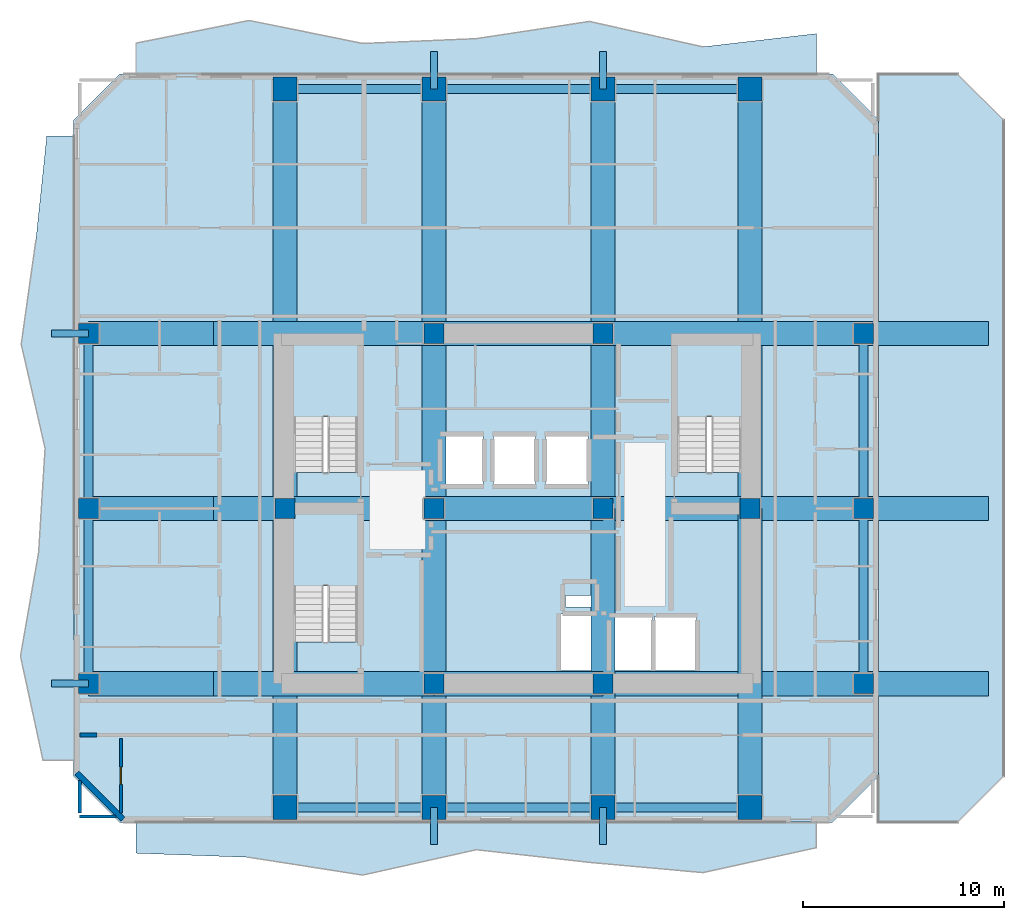
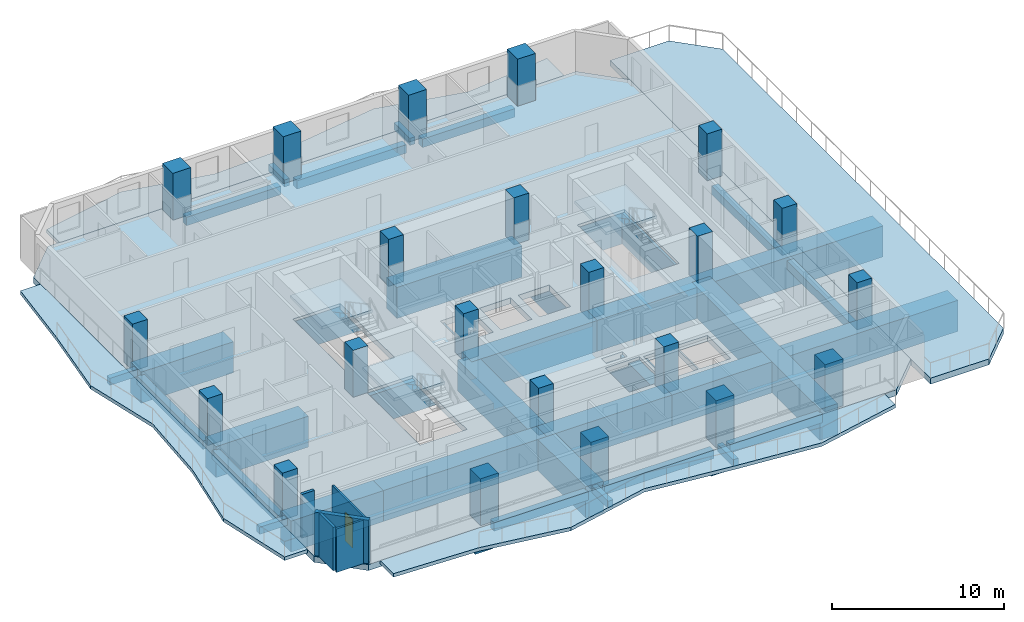
# One storey, part 1 of 11: 36 beams, 22 columns, 8 slabs, 5 walls, 1 door, 1 opening, 3 elements without a shape of their own.
"""IFC4 building model written with IfcOpenShell, lengths in metres."""

import ifcopenshell
import ifcopenshell.guid

model = None  # the IFC model being written
_history = None  # IfcOwnerHistory: only IFC2X3 demands one
_inside = {}  # id of a spatial element -> (the spatial element, [elements in it])
_under = {}  # id of a project, library or spatial element -> (it, [spatial elements below it])
_declared = {}  # id of a project -> (the project, [libraries it declares])
_typed = {}  # id of a type object -> (the type object, [elements of that type])
_made_of = {}  # id of a material, layer set ... -> (it, [elements and type objects made of it])


def new_model(schema):
    """Start an empty IFC model of exactly this schema.

    Asked for "IFC4X3", IfcOpenShell would pick the latest addendum, in which some entities
    have other attributes; the version numbers below select the first issue.
    IFC2X3 requires an IfcOwnerHistory on every rooted entity: one is made here for all.
    """
    global model, _history
    if schema == "IFC4X3":
        model = ifcopenshell.file(schema_version=(4, 3, 0, 0))
    else:
        model = ifcopenshell.file(schema=schema)
    _inside.clear()
    _under.clear()
    _declared.clear()
    _typed.clear()
    _made_of.clear()
    _history = None
    if model.schema == "IFC2X3":
        org = make("IfcOrganization", Name="unknown")
        user = make(
            "IfcPersonAndOrganization",
            ThePerson=make("IfcPerson", FamilyName="unknown"),
            TheOrganization=org,
        )
        app = make(
            "IfcApplication",
            ApplicationDeveloper=org,
            Version="unknown",
            ApplicationFullName="unknown",
            ApplicationIdentifier="unknown",
        )
        _history = make(
            "IfcOwnerHistory",
            OwningUser=user,
            OwningApplication=app,
            ChangeAction="ADDED",
            CreationDate=0,
        )
    return model


def make(cls, **values):
    """One entity of the class cls with the attributes given. An attribute that is None is left unset."""
    return model.create_entity(
        cls, **{name: value for name, value in values.items() if value is not None}
    )


def rooted(cls, **values):
    """An entity with a GlobalId (a new one), such as an element, a storey or a relation."""
    return make(cls, GlobalId=ifcopenshell.guid.new(), OwnerHistory=_history, **values)


def si_unit(unit_type, name, prefix=None):
    """IfcSIUnit, for example si_unit("LENGTHUNIT", "METRE", prefix="MILLI")."""
    return make("IfcSIUnit", UnitType=unit_type, Prefix=prefix, Name=name)


def assignment(units):
    """IfcUnitAssignment: the units of a project."""
    return None if units is None else make("IfcUnitAssignment", Units=units)


def point(xyz):
    """IfcCartesianPoint."""
    return None if xyz is None else make("IfcCartesianPoint", Coordinates=xyz)


def direction(xyz):
    """IfcDirection."""
    return None if xyz is None else make("IfcDirection", DirectionRatios=xyz)


def frame(location, z_axis=None, x_axis=None):
    """IfcAxis2Placement3D, a coordinate frame: its origin and axes. An axis left out is left unset."""
    return make(
        "IfcAxis2Placement3D",
        Location=point(location),
        Axis=direction(z_axis),
        RefDirection=direction(x_axis),
    )


def frame_2d(location, x_axis=None):
    """IfcAxis2Placement2D, a coordinate frame in the plane: its origin and x axis."""
    return make(
        "IfcAxis2Placement2D", Location=point(location), RefDirection=direction(x_axis)
    )


def origin():
    """The frame at (0, 0, 0) with its axes left unset."""
    return frame((0.0, 0.0, 0.0))


def origin_2d():
    """The frame at (0, 0) in the plane with its x axis left unset."""
    return frame_2d((0.0, 0.0))


def place(relative_to, where):
    """IfcLocalPlacement: puts the frame where relative to a parent placement (None: the world)."""
    return make(
        "IfcLocalPlacement", PlacementRelTo=relative_to, RelativePlacement=where
    )


def context(
    kind, dimensions, precision=None, world=None, true_north=None, identifier=None
):
    """IfcGeometricRepresentationContext, for example the 3D "Model" context."""
    return make(
        "IfcGeometricRepresentationContext",
        ContextIdentifier=identifier,
        ContextType=kind,
        CoordinateSpaceDimension=dimensions,
        Precision=precision,
        WorldCoordinateSystem=world,
        TrueNorth=true_north,
    )


def subcontext(parent, identifier, kind, view, scale=None):
    """IfcGeometricRepresentationSubContext, for example "Body" below "Model"."""
    return make(
        "IfcGeometricRepresentationSubContext",
        ContextIdentifier=identifier,
        ContextType=kind,
        ParentContext=parent,
        TargetScale=scale,
        TargetView=view,
    )


def project(units=None, contexts=None):
    """IfcProject with its units and contexts."""
    return rooted(
        "IfcProject",
        Name="project",
        RepresentationContexts=contexts,
        UnitsInContext=assignment(units),
    )


def spatial(cls, under=None, at=None, **own):
    """A site, building, storey or space (cls), placed at a placement, below another one or the project."""
    s = rooted(cls, ObjectPlacement=at, **own)
    if under is not None:
        _under.setdefault(under.id(), (under, []))[1].append(s)
    return s


def polyline(points):
    """IfcPolyline through the points."""
    return make("IfcPolyline", Points=[point(p) for p in points])


def profile(cls, at=None, kind="AREA", **sizes):
    """A parametric profile (cls). Its sizes go by their IFC names, for example OverallWidth=200.0."""
    return make(cls, ProfileType=kind, Position=at, **sizes)


def rectangle(**sizes):
    """IfcRectangleProfileDef."""
    return profile("IfcRectangleProfileDef", **sizes)


def outline(outer, holes=None, kind="AREA"):
    """IfcArbitraryClosedProfileDef: a profile drawn as a closed curve; with holes, ...WithVoids."""
    if holes is None:
        return make("IfcArbitraryClosedProfileDef", ProfileType=kind, OuterCurve=outer)
    return make(
        "IfcArbitraryProfileDefWithVoids",
        ProfileType=kind,
        OuterCurve=outer,
        InnerCurves=holes,
    )


def extrude(swept, where, along, depth):
    """IfcExtrudedAreaSolid: the profile swept, set in the frame where, extruded along a direction by depth."""
    return make(
        "IfcExtrudedAreaSolid",
        SweptArea=swept,
        Position=where,
        ExtrudedDirection=direction(along),
        Depth=depth,
    )


def shape(context_of_items, identifier, shape_type, items):
    """IfcShapeRepresentation: the items that make up one representation, for example the "Body"."""
    return make(
        "IfcShapeRepresentation",
        ContextOfItems=context_of_items,
        RepresentationIdentifier=identifier,
        RepresentationType=shape_type,
        Items=items,
    )


def material(Name=None, Category=None):
    """IfcMaterial."""
    return make("IfcMaterial", Name=Name, Category=Category)


def layer(
    of_material, thickness, ventilated=None, Name=None, Category=None, Priority=None
):
    """IfcMaterialLayer: one layer of a wall or slab, of a material (None: an air gap)."""
    return make(
        "IfcMaterialLayer",
        Material=of_material,
        LayerThickness=thickness,
        IsVentilated=ventilated,
        Name=Name,
        Category=Category,
        Priority=Priority,
    )


def layer_set(layers, Name=None):
    """IfcMaterialLayerSet."""
    return make("IfcMaterialLayerSet", MaterialLayers=layers, LayerSetName=Name)


def material_profile(
    of_material, cross_section, Name=None, Category=None, Priority=None
):
    """IfcMaterialProfile: a cross section and its material."""
    return make(
        "IfcMaterialProfile",
        Name=Name,
        Material=of_material,
        Profile=cross_section,
        Priority=Priority,
        Category=Category,
    )


def profile_set(profiles, Name=None, composite=None):
    """IfcMaterialProfileSet."""
    return make(
        "IfcMaterialProfileSet",
        Name=Name,
        MaterialProfiles=profiles,
        CompositeProfile=composite,
    )


def made_of(thing, what):
    """Note that an element or type object is made of a material, layer set ...; save() writes the relation."""
    if what is not None:
        _made_of.setdefault(what.id(), (what, []))[1].append(thing)
    return thing


def type_object(cls, material=None, **own):
    """A type object (cls), such as IfcWallType, which elements share."""
    return made_of(rooted(cls, **own), material)


def element(
    cls,
    number,
    at=None,
    inside=None,
    cuts=None,
    type_object=None,
    material=None,
    context=None,
    identifier="Body",
    shape_type=None,
    held_by="IfcProductDefinitionShape",
    body=None,
    shapes=None,
    **own,
):
    """One element of the class cls, such as IfcWall. Its Tag is "e" and its number.

    at: its placement. inside: the storey or other place that contains it. cuts: it is an
    opening in that element (IfcRelVoidsElement). A single representation is given by context,
    identifier, shape_type and body (its items); several are given by shapes. held_by: the class
    of the entity that holds the representations. save() writes the other relations.
    """
    e = rooted(cls, Tag="e%d" % number, ObjectPlacement=at, **own)
    if body is not None:
        shapes = [shape(context, identifier, shape_type, body)]
    if shapes is not None:
        e.Representation = make(held_by, Representations=shapes)
    if inside is not None:
        _inside.setdefault(inside.id(), (inside, []))[1].append(e)
    if cuts is not None:
        rooted(
            "IfcRelVoidsElement", RelatingBuildingElement=cuts, RelatedOpeningElement=e
        )
    if type_object is not None:
        _typed.setdefault(type_object.id(), (type_object, []))[1].append(e)
    return made_of(e, material)


def fill(opening, filler):
    """IfcRelFillsElement: the door or window that sits in an opening."""
    return rooted(
        "IfcRelFillsElement",
        RelatingOpeningElement=opening,
        RelatedBuildingElement=filler,
    )


def aggregate(whole, parts):
    """IfcRelAggregates: a whole, such as a stair, and the parts it consists of."""
    return rooted("IfcRelAggregates", RelatingObject=whole, RelatedObjects=parts)


def save(model, path):
    """Write the relations noted so far, then the file.

    IfcRelAggregates (storeys below a building ...), IfcRelContainedInSpatialStructure (elements
    in a storey), IfcRelDefinesByType, IfcRelAssociatesMaterial and IfcRelDeclares: one each for
    every whole, place, type object, material and project.
    """
    for whole, parts in _under.values():
        aggregate(whole, parts)
    for where, things in _inside.values():
        rooted(
            "IfcRelContainedInSpatialStructure",
            RelatedElements=things,
            RelatingStructure=where,
        )
    for kind, things in _typed.values():
        rooted("IfcRelDefinesByType", RelatedObjects=things, RelatingType=kind)
    for what, things in _made_of.values():
        rooted("IfcRelAssociatesMaterial", RelatedObjects=things, RelatingMaterial=what)
    for by, libraries in _declared.values():
        rooted("IfcRelDeclares", RelatingContext=by, RelatedDefinitions=libraries)
    model.write(path)


model = new_model("IFC4")

# Units and contexts
model_context = context("Model", 3, precision=1e-05, world=origin(), true_north=direction((0.0, 1.0)))
body_context = subcontext(model_context, "Body", "Model", "MODEL_VIEW")
ifc_project = project(units=[si_unit("LENGTHUNIT", "METRE"), si_unit("AREAUNIT", "SQUARE_METRE"), si_unit("VOLUMEUNIT", "CUBIC_METRE"), si_unit("PLANEANGLEUNIT", "RADIAN"), si_unit("MASSUNIT", "GRAM", prefix="KILO")], contexts=[model_context])

# Site, building, storey
site_placement = place(None, origin())
site = spatial("IfcSite", under=ifc_project, at=site_placement, CompositionType="ELEMENT")
building_placement = place(site_placement, origin())
building = spatial("IfcBuilding", under=site, at=building_placement, Name="Solanera Arch Residences", CompositionType="ELEMENT")
storey_placement = place(building_placement, frame((0.0, 0.0, 165.840087890625)))
storey = spatial("IfcBuildingStorey", under=building, at=storey_placement, Name="L48", CompositionType="ELEMENT", Elevation=165.840087890625)

# Columns
ifc_material_1 = material(Name="Concrete C55/67 (f'c = 60 MPa)", Category="concrete")
ifc_material_profile_1 = material_profile(ifc_material_1, rectangle(XDim=1.0, YDim=1.0, at=origin_2d()))
ifc_profile_set_1 = profile_set([ifc_material_profile_1], Name="Concrete C55/67 (f'c = 60 MPa)")
column_type_1 = type_object("IfcColumnType", Name="Structural Column RC-COL-1000X1000", PredefinedType="COLUMN", material=ifc_profile_set_1)
for number, where, z_axis, x_axis, name in (
    (1, (20.800048828125, 22.0, 0.0), (0.0, 0.0, 1.0), (1.0, 0.0, 0.0), "COL-L48-CB-SW"),
    (2, (29.199951171875, 22.0, 0.0), (0.0, 0.0, 1.0), (1.0, 0.0, 0.0), "COL-L48-CB-SE"),
    (3, (20.800048828125, 39.39990234375, 0.0), (0.0, 0.0, 1.0), (1.0, 0.0, 0.0), "COL-L48-CB-NW"),
    (4, (29.199951171875, 39.39990234375, 0.0), (0.0, 0.0, 1.0), (1.0, 0.0, 0.0), "COL-L48-CB-NE"),
    (5, (13.39990234375, 30.699951171875, 0.0), (0.0, 0.0, 1.0), (1.0, 0.0, 0.0), "COL-L48-CB-WW"),
    (6, (36.5, 30.699951171875, 0.0), (0.0, 0.0, 1.0), (1.0, 0.0, 0.0), "COL-L48-CB-EE"),
    (7, (20.800048828125, 30.699951171875, 0.0), (0.0, 0.0, 1.0), (1.0, 0.0, 0.0), "COL-L48-CORE-W"),
    (8, (29.199951171875, 30.699951171875, 0.0), (0.0, 0.0, 1.0), (1.0, 0.0, 0.0), "COL-L48-CORE-E"),
):
    element("IfcColumn", number, at=place(storey_placement, frame(where, z_axis=z_axis, x_axis=x_axis)), inside=storey, type_object=column_type_1, Name=name, PredefinedType="COLUMN", context=body_context, shape_type="SweptSolid", body=[
        extrude(rectangle(XDim=1.0, YDim=1.0, at=origin_2d()), origin(), (0.0, 0.0, 1.0), 3.31982421875),
    ])
for number, where, z_axis, x_axis, name in (
    (9, (3.64990234375, 22.0, -0.2001953125), (0.0, 0.0, 1.0), (1.0, 0.0, 0.0), "COL-L48-TWR-09"),
    (10, (42.14990234375, 22.0, -0.2001953125), (0.0, 0.0, 1.0), (1.0, 0.0, 0.0), "COL-L48-TWR-10"),
    (11, (3.64990234375, 30.699951171875, -0.2001953125), (0.0, 0.0, 1.0), (1.0, 0.0, 0.0), "COL-L48-TWR-11"),
    (12, (42.14990234375, 30.699951171875, -0.2001953125), (0.0, 0.0, 1.0), (1.0, 0.0, 0.0), "COL-L48-TWR-12"),
    (13, (3.64990234375, 39.39990234375, -0.2001953125), (0.0, 0.0, 1.0), (1.0, 0.0, 0.0), "COL-L48-TWR-13"),
    (14, (42.14990234375, 39.39990234375, -0.2001953125), (0.0, 0.0, 1.0), (1.0, 0.0, 0.0), "COL-L48-TWR-14"),
):
    element("IfcColumn", number, at=place(storey_placement, frame(where, z_axis=z_axis, x_axis=x_axis)), inside=storey, type_object=column_type_1, Name=name, PredefinedType="COLUMN", context=body_context, shape_type="SweptSolid", body=[
        extrude(rectangle(XDim=1.0, YDim=1.0, at=origin_2d()), origin(), (0.0, 0.0, 1.0), 3.52001953125),
    ])
ifc_material_2 = material(Name="Concrete C55/67 (f'c = 60 MPa)", Category="concrete")
ifc_material_profile_2 = material_profile(ifc_material_2, rectangle(XDim=1.199951171875, YDim=1.199951171875, at=origin_2d()))
ifc_profile_set_2 = profile_set([ifc_material_profile_2], Name="Concrete C55/67 (f'c = 60 MPa)")
column_type_2 = type_object("IfcColumnType", Name="Structural Column RC-COL-1200X1200", PredefinedType="COLUMN", material=ifc_profile_set_2)
for number, where, z_axis, x_axis, name in (
    (15, (13.39990234375, 15.85009765625, -0.2001953125), (0.0, 0.0, 1.0), (1.0, 0.0, 0.0), "COL-L48-TWR-01"),
    (16, (13.39990234375, 51.550048828125, -0.2001953125), (0.0, 0.0, 1.0), (1.0, 0.0, 0.0), "COL-L48-TWR-02"),
    (17, (20.800048828125, 15.85009765625, -0.2001953125), (0.0, 0.0, 1.0), (1.0, 0.0, 0.0), "COL-L48-TWR-03"),
    (18, (20.800048828125, 51.550048828125, -0.2001953125), (0.0, 0.0, 1.0), (1.0, 0.0, 0.0), "COL-L48-TWR-04"),
    (19, (29.199951171875, 15.85009765625, -0.2001953125), (0.0, 0.0, 1.0), (1.0, 0.0, 0.0), "COL-L48-TWR-05"),
    (20, (29.199951171875, 51.550048828125, -0.2001953125), (0.0, 0.0, 1.0), (1.0, 0.0, 0.0), "COL-L48-TWR-06"),
    (21, (36.5, 15.85009765625, -0.2001953125), (0.0, 0.0, 1.0), (1.0, 0.0, 0.0), "COL-L48-TWR-07"),
    (22, (36.5, 51.550048828125, -0.2001953125), (0.0, 0.0, 1.0), (1.0, 0.0, 0.0), "COL-L48-TWR-08"),
):
    element("IfcColumn", number, at=place(storey_placement, frame(where, z_axis=z_axis, x_axis=x_axis)), inside=storey, type_object=column_type_2, Name=name, PredefinedType="COLUMN", context=body_context, shape_type="SweptSolid", body=[
        extrude(rectangle(XDim=1.199951171875, YDim=1.199951171875, at=origin_2d()), origin(), (0.0, 0.0, 1.0), 3.52001953125),
    ])

# Beams
ifc_material_3 = material(Name="Concrete C40/50 (f'c = 45 MPa)", Category="concrete")
ifc_material_profile_3 = material_profile(ifc_material_3, rectangle(XDim=0.35009765625, YDim=0.5, at=origin_2d()))
ifc_profile_set_3 = profile_set([ifc_material_profile_3], Name="Concrete C40/50 (f'c = 45 MPa)")
beam_type_1 = type_object("IfcBeamType", Name="BM-BALC-RIB", PredefinedType="BEAM", material=ifc_profile_set_3)
for number, where, z_axis, x_axis, name in (
    (23, (20.800048828125, 14.0, -0.5), (0.0, 1.0, 0.0), (-1.0, 0.0, 0.0), "BM-L48-BRIB-S1"),
    (24, (29.199951171875, 14.0, -0.5), (0.0, 1.0, 0.0), (-1.0, 0.0, 0.0), "BM-L48-BRIB-S2"),
):
    element("IfcBeam", number, at=place(storey_placement, frame(where, z_axis=z_axis, x_axis=x_axis)), inside=storey, type_object=beam_type_1, Name=name, PredefinedType="BEAM", context=body_context, shape_type="SweptSolid", body=[
        extrude(rectangle(XDim=0.35009765625, YDim=0.5, at=origin_2d()), origin(), (0.0, 0.0, 1.0), 1.85009765625),
    ])
for number, where, z_axis, x_axis, name in (
    (25, (20.800048828125, 51.550048828125, -0.5), (0.0, 1.0, 0.0), (-1.0, 0.0, 0.0), "BM-L48-BRIB-N1"),
    (26, (29.199951171875, 51.550048828125, -0.5), (0.0, 1.0, 0.0), (-1.0, 0.0, 0.0), "BM-L48-BRIB-N2"),
    (27, (1.800048828125, 22.0, -0.5), (1.0, 0.0, 0.0), (0.0, 1.0, 0.0), "BM-L48-BRIB-W1"),
    (28, (1.800048828125, 39.39990234375, -0.5), (1.0, 0.0, 0.0), (0.0, 1.0, 0.0), "BM-L48-BRIB-W2"),
):
    element("IfcBeam", number, at=place(storey_placement, frame(where, z_axis=z_axis, x_axis=x_axis)), inside=storey, type_object=beam_type_1, Name=name, PredefinedType="BEAM", context=body_context, shape_type="SweptSolid", body=[
        extrude(rectangle(XDim=0.35009765625, YDim=0.5, at=origin_2d()), origin(), (0.0, 0.0, 1.0), 1.849853515625),
    ])
ifc_material_4 = material(Name="Concrete C55/67 (f'c = 60 MPa)", Category="concrete")
ifc_material_profile_4 = material_profile(ifc_material_4, rectangle(XDim=1.199951171875, YDim=2.199951171875, at=origin_2d()))
ifc_profile_set_4 = profile_set([ifc_material_profile_4], Name="Concrete C55/67 (f'c = 60 MPa)")
beam_type_2 = type_object("IfcBeamType", Name="BM-CANT-BLOCK", PredefinedType="BEAM", material=ifc_profile_set_4)
for number, where, z_axis, x_axis, name in (
    (29, (3.64990234375, 22.0, -1.300048828125), (1.0, 0.0, 0.0), (0.0, 1.0, 0.0), "BM-L48-CANT-EW-W-220"),
    (30, (3.64990234375, 30.699951171875, -1.300048828125), (1.0, 0.0, 0.0), (0.0, 1.0, 0.0), "BM-L48-CANT-EW-W-307"),
    (31, (3.64990234375, 39.39990234375, -1.300048828125), (1.0, 0.0, 0.0), (0.0, 1.0, 0.0), "BM-L48-CANT-EW-W-394"),
):
    element("IfcBeam", number, at=place(storey_placement, frame(where, z_axis=z_axis, x_axis=x_axis)), inside=storey, type_object=beam_type_2, Name=name, PredefinedType="BEAM", context=body_context, shape_type="SweptSolid", body=[
        extrude(rectangle(XDim=1.199951171875, YDim=2.199951171875, at=origin_2d()), origin(), (0.0, 0.0, 1.0), 6.2001953125),
    ])
ifc_material_5 = material(Name="Concrete C40/50 (f'c = 45 MPa)", Category="concrete")
ifc_material_profile_5 = material_profile(ifc_material_5, rectangle(XDim=0.449951171875, YDim=0.60009765625, at=origin_2d()))
ifc_profile_set_5 = profile_set([ifc_material_profile_5], Name="Concrete C40/50 (f'c = 45 MPa)")
beam_type_3 = type_object("IfcBeamType", Name="Spandrel Beam RC-BM-450X600", PredefinedType="SPANDREL", material=ifc_profile_set_5)
for number, where, z_axis, x_axis, name in (
    (32, (13.93994140625, 15.85009765625, -0.719970703125), (1.0, 0.0, 0.0), (0.0, 1.0, 0.0), "BM-L48-XRING-S-1"),
    (33, (13.93994140625, 51.550048828125, -0.719970703125), (1.0, 0.0, 0.0), (0.0, 1.0, 0.0), "BM-L48-XRING-N-1"),
):
    element("IfcBeam", number, at=place(storey_placement, frame(where, z_axis=z_axis, x_axis=x_axis)), inside=storey, type_object=beam_type_3, Name=name, PredefinedType="SPANDREL", context=body_context, shape_type="SweptSolid", body=[
        extrude(rectangle(XDim=0.449951171875, YDim=0.60009765625, at=origin_2d()), origin(), (0.0, 0.0, 1.0), 6.320068359375),
    ])
for number, where, z_axis, x_axis, name in (
    (34, (21.340087890625, 15.85009765625, -0.719970703125), (1.0, 0.0, 0.0), (0.0, 1.0, 0.0), "BM-L48-XRING-S-2"),
    (35, (21.340087890625, 51.550048828125, -0.719970703125), (1.0, 0.0, 0.0), (0.0, 1.0, 0.0), "BM-L48-XRING-N-2"),
):
    element("IfcBeam", number, at=place(storey_placement, frame(where, z_axis=z_axis, x_axis=x_axis)), inside=storey, type_object=beam_type_3, Name=name, PredefinedType="SPANDREL", context=body_context, shape_type="SweptSolid", body=[
        extrude(rectangle(XDim=0.449951171875, YDim=0.60009765625, at=origin_2d()), origin(), (0.0, 0.0, 1.0), 7.31982421875),
    ])
for number, where, z_axis, x_axis, name in (
    (36, (29.739990234375, 15.85009765625, -0.719970703125), (1.0, 0.0, 0.0), (0.0, 1.0, 0.0), "BM-L48-XRING-S-3"),
    (37, (29.739990234375, 51.550048828125, -0.719970703125), (1.0, 0.0, 0.0), (0.0, 1.0, 0.0), "BM-L48-XRING-N-3"),
):
    element("IfcBeam", number, at=place(storey_placement, frame(where, z_axis=z_axis, x_axis=x_axis)), inside=storey, type_object=beam_type_3, Name=name, PredefinedType="SPANDREL", context=body_context, shape_type="SweptSolid", body=[
        extrude(rectangle(XDim=0.449951171875, YDim=0.60009765625, at=origin_2d()), origin(), (0.0, 0.0, 1.0), 6.219970703125),
    ])
for number, where, z_axis, x_axis, name in (
    (38, (3.64990234375, 22.5400390625, -0.719970703125), (0.0, 1.0, 0.0), (-1.0, 0.0, 0.0), "BM-L48-XRING-W-1"),
    (39, (42.14990234375, 22.5400390625, -0.719970703125), (0.0, 1.0, 0.0), (-1.0, 0.0, 0.0), "BM-L48-XRING-E-1"),
):
    element("IfcBeam", number, at=place(storey_placement, frame(where, z_axis=z_axis, x_axis=x_axis)), inside=storey, type_object=beam_type_3, Name=name, PredefinedType="SPANDREL", context=body_context, shape_type="SweptSolid", body=[
        extrude(rectangle(XDim=0.449951171875, YDim=0.60009765625, at=origin_2d()), origin(), (0.0, 0.0, 1.0), 7.619873046875),
    ])
for number, where, z_axis, x_axis, name in (
    (40, (3.64990234375, 31.239990234375, -0.719970703125), (0.0, 1.0, 0.0), (-1.0, 0.0, 0.0), "BM-L48-XRING-W-2"),
    (41, (42.14990234375, 31.239990234375, -0.719970703125), (0.0, 1.0, 0.0), (-1.0, 0.0, 0.0), "BM-L48-XRING-E-2"),
):
    element("IfcBeam", number, at=place(storey_placement, frame(where, z_axis=z_axis, x_axis=x_axis)), inside=storey, type_object=beam_type_3, Name=name, PredefinedType="SPANDREL", context=body_context, shape_type="SweptSolid", body=[
        extrude(rectangle(XDim=0.449951171875, YDim=0.60009765625, at=origin_2d()), origin(), (0.0, 0.0, 1.0), 7.6201171875),
    ])
ifc_material_6 = material(Name="Concrete C55/67 (f'c = 60 MPa)", Category="concrete")
ifc_material_profile_6 = material_profile(ifc_material_6, rectangle(XDim=1.199951171875, YDim=2.199951171875, at=origin_2d()))
ifc_profile_set_6 = profile_set([ifc_material_profile_6], Name="Concrete C55/67 (f'c = 60 MPa)")
beam_type_4 = type_object("IfcBeamType", Name="Transfer Girder RC-BM-1200X2200", PredefinedType="BEAM", material=ifc_profile_set_6)
beam_1_placement = place(storey_placement, frame((13.39990234375, 15.85009765625, -1.300048828125), z_axis=(0.0, 1.0, 0.0), x_axis=(-1.0, 0.0, 0.0)))
element("IfcBeam", 42, at=beam_1_placement, inside=storey, type_object=beam_type_4, Name="BM-L48-XFER-NS-S-134", PredefinedType="BEAM", context=body_context, shape_type="SweptSolid", body=[
    extrude(rectangle(XDim=1.199951171875, YDim=2.199951171875, at=origin_2d()), origin(), (0.0, 0.0, 1.0), 14.849853515625),
])
beam_2_placement = place(storey_placement, frame((13.39990234375, 30.699951171875, -1.300048828125), z_axis=(0.0, 1.0, 0.0), x_axis=(-1.0, 0.0, 0.0)))
element("IfcBeam", 43, at=beam_2_placement, inside=storey, type_object=beam_type_4, Name="BM-L48-XFER-NS-N-134", PredefinedType="BEAM", context=body_context, shape_type="SweptSolid", body=[
    extrude(rectangle(XDim=1.199951171875, YDim=2.199951171875, at=origin_2d()), origin(), (0.0, 0.0, 1.0), 20.85009765625),
])
beam_3_placement = place(storey_placement, frame((20.800048828125, 15.85009765625, -1.300048828125), z_axis=(0.0, 1.0, 0.0), x_axis=(-1.0, 0.0, 0.0)))
element("IfcBeam", 44, at=beam_3_placement, inside=storey, type_object=beam_type_4, Name="BM-L48-XFER-NS-S-208", PredefinedType="BEAM", context=body_context, shape_type="SweptSolid", body=[
    extrude(rectangle(XDim=1.199951171875, YDim=2.199951171875, at=origin_2d()), origin(), (0.0, 0.0, 1.0), 14.849853515625),
])
beam_4_placement = place(storey_placement, frame((20.800048828125, 30.699951171875, -1.300048828125), z_axis=(0.0, 1.0, 0.0), x_axis=(-1.0, 0.0, 0.0)))
element("IfcBeam", 45, at=beam_4_placement, inside=storey, type_object=beam_type_4, Name="BM-L48-XFER-NS-N-208", PredefinedType="BEAM", context=body_context, shape_type="SweptSolid", body=[
    extrude(rectangle(XDim=1.199951171875, YDim=2.199951171875, at=origin_2d()), origin(), (0.0, 0.0, 1.0), 20.85009765625),
])
beam_5_placement = place(storey_placement, frame((29.199951171875, 15.85009765625, -1.300048828125), z_axis=(0.0, 1.0, 0.0), x_axis=(-1.0, 0.0, 0.0)))
element("IfcBeam", 46, at=beam_5_placement, inside=storey, type_object=beam_type_4, Name="BM-L48-XFER-NS-S-292", PredefinedType="BEAM", context=body_context, shape_type="SweptSolid", body=[
    extrude(rectangle(XDim=1.199951171875, YDim=2.199951171875, at=origin_2d()), origin(), (0.0, 0.0, 1.0), 14.849853515625),
])
beam_6_placement = place(storey_placement, frame((29.199951171875, 30.699951171875, -1.300048828125), z_axis=(0.0, 1.0, 0.0), x_axis=(-1.0, 0.0, 0.0)))
element("IfcBeam", 47, at=beam_6_placement, inside=storey, type_object=beam_type_4, Name="BM-L48-XFER-NS-N-292", PredefinedType="BEAM", context=body_context, shape_type="SweptSolid", body=[
    extrude(rectangle(XDim=1.199951171875, YDim=2.199951171875, at=origin_2d()), origin(), (0.0, 0.0, 1.0), 20.85009765625),
])
beam_7_placement = place(storey_placement, frame((36.5, 15.85009765625, -1.300048828125), z_axis=(0.0, 1.0, 0.0), x_axis=(-1.0, 0.0, 0.0)))
element("IfcBeam", 48, at=beam_7_placement, inside=storey, type_object=beam_type_4, Name="BM-L48-XFER-NS-S-365", PredefinedType="BEAM", context=body_context, shape_type="SweptSolid", body=[
    extrude(rectangle(XDim=1.199951171875, YDim=2.199951171875, at=origin_2d()), origin(), (0.0, 0.0, 1.0), 14.849853515625),
])
beam_8_placement = place(storey_placement, frame((36.5, 30.699951171875, -1.300048828125), z_axis=(0.0, 1.0, 0.0), x_axis=(-1.0, 0.0, 0.0)))
element("IfcBeam", 49, at=beam_8_placement, inside=storey, type_object=beam_type_4, Name="BM-L48-XFER-NS-N-365", PredefinedType="BEAM", context=body_context, shape_type="SweptSolid", body=[
    extrude(rectangle(XDim=1.199951171875, YDim=2.199951171875, at=origin_2d()), origin(), (0.0, 0.0, 1.0), 20.85009765625),
])
beam_9_placement = place(storey_placement, frame((9.85009765625, 22.0, -1.300048828125), z_axis=(1.0, 0.0, 0.0), x_axis=(0.0, 1.0, 0.0)))
element("IfcBeam", 50, at=beam_9_placement, inside=storey, type_object=beam_type_4, Name="BM-L48-XFER-EW-W-220", PredefinedType="BEAM", context=body_context, shape_type="SweptSolid", body=[
    extrude(rectangle(XDim=1.199951171875, YDim=2.199951171875, at=origin_2d()), origin(), (0.0, 0.0, 1.0), 10.949951171875),
])
beam_10_placement = place(storey_placement, frame((20.800048828125, 22.0, -1.300048828125), z_axis=(1.0, 0.0, 0.0), x_axis=(0.0, 1.0, 0.0)))
element("IfcBeam", 51, at=beam_10_placement, inside=storey, type_object=beam_type_4, Name="BM-L48-XFER-EW-C-220", PredefinedType="BEAM", context=body_context, shape_type="SweptSolid", body=[
    extrude(rectangle(XDim=1.199951171875, YDim=2.199951171875, at=origin_2d()), origin(), (0.0, 0.0, 1.0), 8.39990234375),
])
beam_11_placement = place(storey_placement, frame((29.199951171875, 22.0, -1.300048828125), z_axis=(1.0, 0.0, 0.0), x_axis=(0.0, 1.0, 0.0)))
element("IfcBeam", 52, at=beam_11_placement, inside=storey, type_object=beam_type_4, Name="BM-L48-XFER-EW-E-220", PredefinedType="BEAM", context=body_context, shape_type="SweptSolid", body=[
    extrude(rectangle(XDim=1.199951171875, YDim=2.199951171875, at=origin_2d()), origin(), (0.0, 0.0, 1.0), 19.150146484375),
])
beam_12_placement = place(storey_placement, frame((9.85009765625, 30.699951171875, -1.300048828125), z_axis=(1.0, 0.0, 0.0), x_axis=(0.0, 1.0, 0.0)))
element("IfcBeam", 53, at=beam_12_placement, inside=storey, type_object=beam_type_4, Name="BM-L48-XFER-EW-W-307", PredefinedType="BEAM", context=body_context, shape_type="SweptSolid", body=[
    extrude(rectangle(XDim=1.199951171875, YDim=2.199951171875, at=origin_2d()), origin(), (0.0, 0.0, 1.0), 10.949951171875),
])
beam_13_placement = place(storey_placement, frame((20.800048828125, 30.699951171875, -1.300048828125), z_axis=(1.0, 0.0, 0.0), x_axis=(0.0, 1.0, 0.0)))
element("IfcBeam", 54, at=beam_13_placement, inside=storey, type_object=beam_type_4, Name="BM-L48-XFER-EW-C-307", PredefinedType="BEAM", context=body_context, shape_type="SweptSolid", body=[
    extrude(rectangle(XDim=1.199951171875, YDim=2.199951171875, at=origin_2d()), origin(), (0.0, 0.0, 1.0), 8.39990234375),
])
beam_14_placement = place(storey_placement, frame((29.199951171875, 30.699951171875, -1.300048828125), z_axis=(1.0, 0.0, 0.0), x_axis=(0.0, 1.0, 0.0)))
element("IfcBeam", 55, at=beam_14_placement, inside=storey, type_object=beam_type_4, Name="BM-L48-XFER-EW-E-307", PredefinedType="BEAM", context=body_context, shape_type="SweptSolid", body=[
    extrude(rectangle(XDim=1.199951171875, YDim=2.199951171875, at=origin_2d()), origin(), (0.0, 0.0, 1.0), 19.150146484375),
])
beam_15_placement = place(storey_placement, frame((9.85009765625, 39.39990234375, -1.300048828125), z_axis=(1.0, 0.0, 0.0), x_axis=(0.0, 1.0, 0.0)))
element("IfcBeam", 56, at=beam_15_placement, inside=storey, type_object=beam_type_4, Name="BM-L48-XFER-EW-W-394", PredefinedType="BEAM", context=body_context, shape_type="SweptSolid", body=[
    extrude(rectangle(XDim=1.199951171875, YDim=2.199951171875, at=origin_2d()), origin(), (0.0, 0.0, 1.0), 10.949951171875),
])
beam_16_placement = place(storey_placement, frame((20.800048828125, 39.39990234375, -1.300048828125), z_axis=(1.0, 0.0, 0.0), x_axis=(0.0, 1.0, 0.0)))
element("IfcBeam", 57, at=beam_16_placement, inside=storey, type_object=beam_type_4, Name="BM-L48-XFER-EW-C-394", PredefinedType="BEAM", context=body_context, shape_type="SweptSolid", body=[
    extrude(rectangle(XDim=1.199951171875, YDim=2.199951171875, at=origin_2d()), origin(), (0.0, 0.0, 1.0), 8.39990234375),
])
beam_17_placement = place(storey_placement, frame((29.199951171875, 39.39990234375, -1.300048828125), z_axis=(1.0, 0.0, 0.0), x_axis=(0.0, 1.0, 0.0)))
element("IfcBeam", 58, at=beam_17_placement, inside=storey, type_object=beam_type_4, Name="BM-L48-XFER-EW-E-394", PredefinedType="BEAM", context=body_context, shape_type="SweptSolid", body=[
    extrude(rectangle(XDim=1.199951171875, YDim=2.199951171875, at=origin_2d()), origin(), (0.0, 0.0, 1.0), 19.150146484375),
])

# Slabs
ifc_material_7 = material(Name="Concrete C40/50 (f'c = 45 MPa)", Category="concrete")
ifc_layer_1 = layer(ifc_material_7, 0.25)
ifc_layer_set_1 = layer_set([ifc_layer_1], Name="Concrete C40/50 (f'c = 45 MPa)")
slab_type_1 = type_object("IfcSlabType", Name="Balcony Slab 250", PredefinedType="FLOOR", material=ifc_layer_set_1)
slab_1_placement = place(storey_placement, frame((0.0, 0.0, -0.25)))
element("IfcSlab", 59, at=slab_1_placement, inside=storey, type_object=slab_type_1, Name="L48 S Rippling Brise-Soleil Balcony Slab", PredefinedType="FLOOR", context=body_context, shape_type="SweptSolid", body=[
    extrude(outline(polyline([(6.0, 13.576904296875), (11.633056640625, 13.37109375), (17.26708984375, 12.490966796875), (22.89990234375, 13.75), (28.532958984375, 13.123046875), (34.1669921875, 12.614013671875), (39.800048828125, 13.85009765625), (39.800048828125, 15.1201171875), (6.0, 15.1201171875), (6.0, 13.576904296875)])), origin(), (0.0, 0.0, 1.0), 0.25),
])
slab_2_placement = place(storey_placement, frame((0.0, 0.0, -0.25)))
element("IfcSlab", 60, at=slab_2_placement, inside=storey, type_object=slab_type_1, Name="L48 N Rippling Brise-Soleil Balcony Slab", PredefinedType="FLOOR", context=body_context, shape_type="SweptSolid", body=[
    extrude(outline(polyline([(39.800048828125, 54.2958984375), (34.1669921875, 53.639892578125), (28.532958984375, 54.903076171875), (22.89990234375, 54.047119140625), (17.26708984375, 53.80810546875), (11.633056640625, 54.949951171875), (6.0, 53.822998046875), (6.0, 52.280029296875), (39.800048828125, 52.280029296875), (39.800048828125, 54.2958984375)])), origin(), (0.0, 0.0, 1.0), 0.25),
])
slab_3_placement = place(storey_placement, frame((0.0, 0.0, -0.25)))
element("IfcSlab", 61, at=slab_3_placement, inside=storey, type_object=slab_type_1, Name="L48 W Rippling Brise-Soleil Balcony Slab", PredefinedType="FLOOR", context=body_context, shape_type="SweptSolid", body=[
    extrude(outline(polyline([(1.56494140625, 49.199951171875), (1.02490234375, 44.032958984375), (0.297119140625, 38.866943359375), (1.48095703125, 33.699951171875), (1.162109375, 28.532958984375), (0.260009765625, 23.366943359375), (1.376953125, 18.199951171875), (2.919921875, 18.199951171875), (2.919921875, 49.199951171875), (1.56494140625, 49.199951171875)])), origin(), (0.0, 0.0, 1.0), 0.25),
])

# Stair, slab
ifc_material_8 = material(Name="Concrete C40/50 (f'c = 45 MPa)", Category="concrete")
stair_type = type_object("IfcStairType", Name="Tower Dogleg Exit Stair 1480", PredefinedType="HALF_TURN_STAIR", material=ifc_material_8)
stair_1_placement = place(storey_placement, origin())
stair_1 = element("IfcStair", 62, at=stair_1_placement, inside=storey, type_object=stair_type, Name="L48 Tower Core Exit Stair 1", PredefinedType="HALF_TURN_STAIR")
ifc_material_9 = material(Name="Concrete C40/50 (f'c = 45 MPa)", Category="concrete")
ifc_layer_2 = layer(ifc_material_9, 0.199951171875)
ifc_layer_set_2 = layer_set([ifc_layer_2], Name="Concrete C40/50 (f'c = 45 MPa)")
slab_type_2 = type_object("IfcSlabType", Name="Stair Half-Landing Slab 200", PredefinedType="LANDING", material=ifc_layer_set_2)
slab_4_placement = place(storey_placement, frame((0.0, 0.0, 1.4599609375)))
slab_4 = element("IfcSlab", 63, at=slab_4_placement, type_object=slab_type_2, Name="ST-T1 landing 1", PredefinedType="LANDING", context=body_context, shape_type="SweptSolid", body=[
    extrude(outline(polyline([(17.1201171875, 35.260009765625), (17.1201171875, 38.919921875), (13.719970703125, 38.919921875), (13.719970703125, 35.260009765625), (17.1201171875, 35.260009765625)])), origin(), (0.0, 0.0, 1.0), 0.199951171875),
])
aggregate(stair_1, [slab_4])

stair_2_placement = place(storey_placement, origin())
stair_2 = element("IfcStair", 64, at=stair_2_placement, inside=storey, type_object=stair_type, Name="L48 Tower Core Exit Stair 2", PredefinedType="HALF_TURN_STAIR")
slab_5_placement = place(storey_placement, frame((0.0, 0.0, 1.4599609375)))
slab_5 = element("IfcSlab", 65, at=slab_5_placement, type_object=slab_type_2, Name="ST-T2 landing 1", PredefinedType="LANDING", context=body_context, shape_type="SweptSolid", body=[
    extrude(outline(polyline([(36.179931640625, 35.260009765625), (36.179931640625, 38.919921875), (32.780029296875, 38.919921875), (32.780029296875, 35.260009765625), (36.179931640625, 35.260009765625)])), origin(), (0.0, 0.0, 1.0), 0.199951171875),
])
aggregate(stair_2, [slab_5])

stair_3_placement = place(storey_placement, origin())
stair_3 = element("IfcStair", 66, at=stair_3_placement, inside=storey, type_object=stair_type, Name="L48 Tower Core Exit Stair 3", PredefinedType="HALF_TURN_STAIR")
slab_6_placement = place(storey_placement, frame((0.0, 0.0, 1.4599609375)))
slab_6 = element("IfcSlab", 67, at=slab_6_placement, type_object=slab_type_2, Name="ST-T3 landing 1", PredefinedType="LANDING", context=body_context, shape_type="SweptSolid", body=[
    extrude(outline(polyline([(17.1201171875, 26.860107421875), (17.1201171875, 30.52001953125), (13.719970703125, 30.52001953125), (13.719970703125, 26.860107421875), (17.1201171875, 26.860107421875)])), origin(), (0.0, 0.0, 1.0), 0.199951171875),
])
aggregate(stair_3, [slab_6])

# Slabs
ifc_material_10 = material(Name="Concrete C40/50 (f'c = 45 MPa)", Category="concrete")
ifc_layer_3 = layer(ifc_material_10, 0.419921875)
ifc_layer_set_3 = layer_set([ifc_layer_3], Name="Concrete C40/50 (f'c = 45 MPa)")
slab_type_3 = type_object("IfcSlabType", Name="Suspended Floor Slab Post-Tensioned 420", PredefinedType="FLOOR", material=ifc_layer_set_3)
slab_7_placement = place(storey_placement, frame((0.0, 0.0, -0.420166015625)))
element("IfcSlab", 68, at=slab_7_placement, inside=storey, type_object=slab_type_3, Name="L48 Tower Post-Tensioned Floor Slab", PredefinedType="FLOOR", context=body_context, shape_type="SweptSolid", body=[
    extrude(outline(polyline([(5.199951171875, 15.10009765625), (40.60009765625, 15.10009765625), (42.89990234375, 17.39990234375), (42.89990234375, 50.0), (40.60009765625, 52.300048828125), (5.199951171875, 52.300048828125), (2.89990234375, 50.0), (2.89990234375, 17.39990234375), (5.199951171875, 15.10009765625)]), holes=[polyline([(13.840087890625, 32.48291015625), (13.840087890625, 38.800048828125), (17.0, 38.800048828125), (17.0, 32.48291015625), (13.840087890625, 32.48291015625)]), polyline([(32.89990234375, 32.48291015625), (32.89990234375, 38.800048828125), (36.06005859375, 38.800048828125), (36.06005859375, 32.48291015625), (32.89990234375, 32.48291015625)]), polyline([(13.840087890625, 24.0830078125), (13.840087890625, 30.39990234375), (17.0, 30.39990234375), (17.0, 24.0830078125), (13.840087890625, 24.0830078125)]), polyline([(21.14990234375, 34.35009765625), (23.25, 34.35009765625), (23.25, 31.85009765625), (21.14990234375, 31.85009765625), (21.14990234375, 34.35009765625)]), polyline([(23.75, 34.35009765625), (25.85009765625, 34.35009765625), (25.85009765625, 31.85009765625), (23.75, 31.85009765625), (23.75, 34.35009765625)]), polyline([(26.35009765625, 34.35009765625), (28.449951171875, 34.35009765625), (28.449951171875, 31.85009765625), (26.35009765625, 31.85009765625), (26.35009765625, 34.35009765625)]), polyline([(29.550048828125, 25.35009765625), (31.64990234375, 25.35009765625), (31.64990234375, 22.64990234375), (29.550048828125, 22.64990234375), (29.550048828125, 25.35009765625)]), polyline([(31.75, 25.35009765625), (33.85009765625, 25.35009765625), (33.85009765625, 22.64990234375), (31.75, 22.64990234375), (31.75, 25.35009765625)]), polyline([(27.050048828125, 25.449951171875), (29.35009765625, 25.449951171875), (29.35009765625, 22.64990234375), (27.050048828125, 22.64990234375), (27.050048828125, 25.449951171875)]), polyline([(27.340087890625, 26.3798828125), (28.760009765625, 26.3798828125), (28.760009765625, 25.820068359375), (27.340087890625, 25.820068359375), (27.340087890625, 26.3798828125)])]), origin(), (0.0, 0.0, 1.0), 0.420166015625),
])
ifc_material_11 = material(Name="Concrete C40/50 (f'c = 45 MPa)", Category="concrete")
ifc_layer_4 = layer(ifc_material_11, 0.419921875)
ifc_layer_set_4 = layer_set([ifc_layer_4], Name="Concrete C40/50 (f'c = 45 MPa)")
slab_type_4 = type_object("IfcSlabType", Name="Terrace Slab 420", PredefinedType="FLOOR", material=ifc_layer_set_4)
slab_8_placement = place(storey_placement, frame((0.0, 0.0, -0.420166015625)))
element("IfcSlab", 69, at=slab_8_placement, inside=storey, type_object=slab_type_4, Name="L48 Planted Sky Terrace Slab 1", PredefinedType="FLOOR", context=body_context, shape_type="SweptSolid", body=[
    extrude(outline(polyline([(46.820068359375, 52.280029296875), (42.8798828125, 52.280029296875), (42.8798828125, 49.991943359375), (42.8798828125, 17.407958984375), (42.8798828125, 15.1201171875), (46.820068359375, 15.1201171875), (49.10009765625, 17.39990234375), (49.10009765625, 50.0), (46.820068359375, 52.280029296875)])), origin(), (0.0, 0.0, 1.0), 0.420166015625),
])

# Walls
ifc_material_12 = material(Name="Autoclaved Aerated Concrete Blockwork", Category="masonry")
ifc_layer_5 = layer(ifc_material_12, 0.179931640625)
ifc_layer_set_5 = layer_set([ifc_layer_5], Name="Autoclaved Aerated Concrete Blockwork")
wall_type_1 = type_object("IfcWallType", Name="Corridor Fire Partition 180", PredefinedType="PARTITIONING", material=ifc_layer_set_5)
wall_1_placement = place(storey_placement, frame((3.20703125, 19.449951171875, 0.0), z_axis=(0.0, 0.0, 1.0), x_axis=(1.0, 0.0, 0.0)))
element("IfcWall", 70, at=wall_1_placement, inside=storey, type_object=wall_type_1, Name="L48 Interior Partition H6 1", PredefinedType="PARTITIONING", context=body_context, shape_type="SweptSolid", body=[
    extrude(rectangle(XDim=0.85986328125, YDim=0.179931640625, at=frame_2d((0.429931640625, 0.0))), origin(), (0.0, 0.0, 1.0), 3.079833984375),
])
wall_2_placement = place(storey_placement, frame((3.199951171875, 15.568115234375, 0.0), z_axis=(0.0, 0.0, 1.0), x_axis=(0.0, 1.0, 0.0)))
element("IfcWall", 71, at=wall_2_placement, inside=storey, type_object=wall_type_1, Name="L48 Interior Partition V7 1", PredefinedType="PARTITIONING", context=body_context, shape_type="SweptSolid", body=[
    extrude(rectangle(XDim=1.626953125, YDim=0.179931640625, at=frame_2d((0.8134765625, 0.0))), origin(), (0.0, 0.0, 1.0), 3.079833984375),
])
ifc_material_13 = material(Name="Precast Concrete C35/45", Category="concrete")
ifc_layer_6 = layer(ifc_material_13, 0.280029296875)
ifc_layer_set_6 = layer_set([ifc_layer_6], Name="Precast Concrete C35/45")
wall_type_2 = type_object("IfcWallType", Name="Exterior Wall Precast Masonry-Frame 280", PredefinedType="STANDARD", material=ifc_layer_set_6)
wall_3_placement = place(storey_placement, frame((5.35498046875, 15.2548828125, 0.0), z_axis=(0.0, 0.0, 1.0), x_axis=(-0.707106781187, 0.707106781187, 0.0)))
element("IfcWall", 72, at=wall_3_placement, inside=storey, type_object=wall_type_2, Name="L48 Tower Exterior Precast Masonry-Frame Wall CH7", PredefinedType="STANDARD", context=body_context, shape_type="SweptSolid", body=[
    extrude(rectangle(XDim=3.252685546875, YDim=0.280029296875, at=frame_2d((1.62646484375, 0.0))), origin(), (0.0, 0.0, 1.0), 3.079833984375),
])
ifc_material_14 = material(Name="Autoclaved Aerated Concrete Blockwork", Category="masonry")
ifc_layer_7 = layer(ifc_material_14, 0.139892578125)
ifc_layer_set_7 = layer_set([ifc_layer_7], Name="Autoclaved Aerated Concrete Blockwork")
wall_type_3 = type_object("IfcWallType", Name="Wet-Room Partition 140", PredefinedType="PARTITIONING", material=ifc_layer_set_7)
wall_4_placement = place(storey_placement, frame((3.199951171875, 15.39990234375, 0.0), z_axis=(0.0, 0.0, 1.0), x_axis=(1.0, 0.0, 0.0)))
element("IfcWall", 73, at=wall_4_placement, inside=storey, type_object=wall_type_3, Name="L48 Interior Partition H12 1", PredefinedType="PARTITIONING", context=body_context, shape_type="SweptSolid", body=[
    extrude(rectangle(XDim=1.795166015625, YDim=0.139892578125, at=frame_2d((0.8974609375, 0.0))), origin(), (0.0, 0.0, 1.0), 3.079833984375),
])

# Wall, opening, door
wall_5_placement = place(storey_placement, frame((5.25, 15.574951171875, 0.0), z_axis=(0.0, 0.0, 1.0), x_axis=(0.0, 1.0, 0.0)))
wall_5 = element("IfcWall", 74, at=wall_5_placement, inside=storey, type_object=wall_type_3, Name="L48 Interior Partition V16", PredefinedType="PARTITIONING", context=body_context, shape_type="SweptSolid", body=[
    extrude(rectangle(XDim=3.70703125, YDim=0.139892578125, at=frame_2d((1.853515625, 0.0))), origin(), (0.0, 0.0, 1.0), 3.079833984375),
])
opening_placement = place(wall_5_placement, frame((1.419921875, 0.0, 0.0)))
opening = element("IfcOpeningElement", 75, at=opening_placement, cuts=wall_5, Name="Opening DI-05", PredefinedType="OPENING", context=body_context, shape_type="SweptSolid", body=[
    extrude(rectangle(XDim=0.860107421875, YDim=2.02001953125, at=frame_2d((0.43017578125, 1.010009765625))), frame((0.0, 0.079833984375, 0.0), z_axis=(0.0, -1.0, 0.0), x_axis=(1.0, 0.0, 0.0)), (0.0, 0.0, 1.0), 0.1599),
])
ifc_material_15 = material(Name="Fire-Rated Architectural Hardwood", Category="wood")
door_type = type_object("IfcDoorType", Name="Bathroom Swing Door DI-05", OperationType="NOTDEFINED", PredefinedType="DOOR", material=ifc_material_15)
door_placement = place(opening_placement, origin())
door = element("IfcDoor", 76, at=door_placement, inside=storey, type_object=door_type, Name="DR-L48-IN-017", OperationType="SINGLE_SWING_RIGHT", OverallHeight=2.02001953125, OverallWidth=0.860107421875, PredefinedType="DOOR", context=body_context, shape_type="SweptSolid", body=[
    extrude(rectangle(XDim=0.860107421875, YDim=2.02001953125, at=frame_2d((0.43017578125, 1.010009765625))), frame((0.0, 0.02490234375, 0.0), z_axis=(0.0, -1.0, 0.0), x_axis=(1.0, 0.0, 0.0)), (0.0, 0.0, 1.0), 0.050048828125),
])
fill(opening, door)

save(model, "model.ifc")
